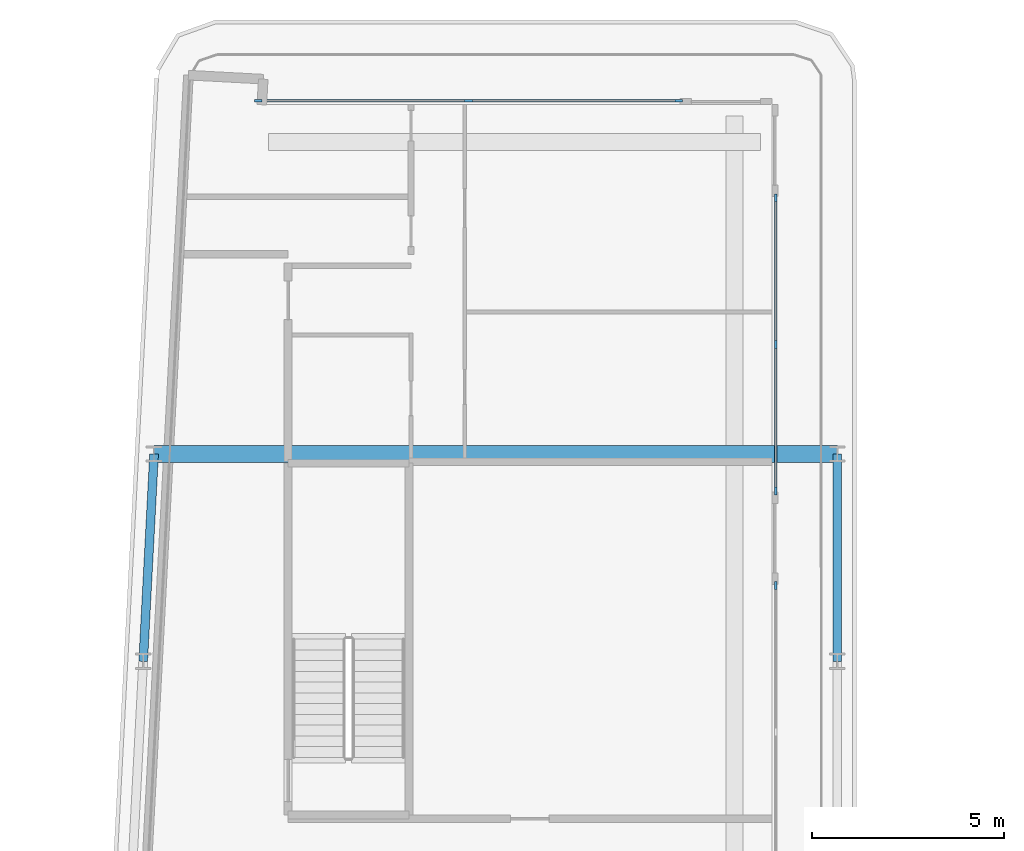
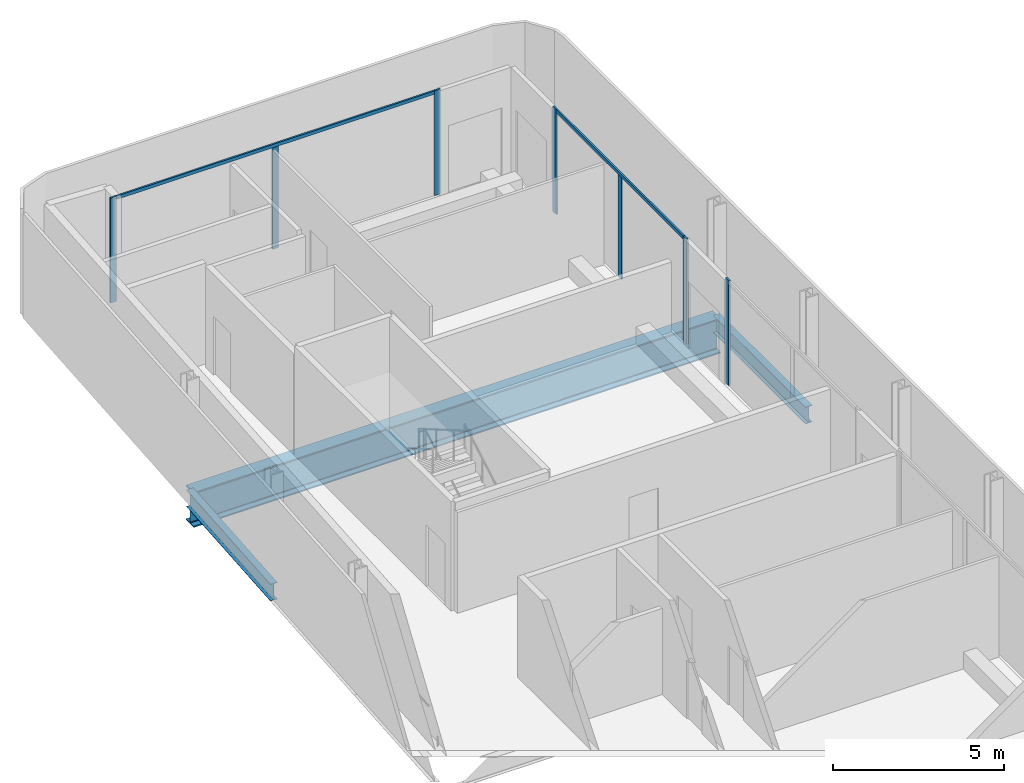
# One storey, part 11 of 29: 9 members, 3 beams, 3 elements without a shape of their own.
"""IFC4 building model written with IfcOpenShell, lengths in metres."""

import ifcopenshell
import ifcopenshell.guid

model = None  # the IFC model being written
_history = None  # IfcOwnerHistory: only IFC2X3 demands one
_inside = {}  # id of a spatial element -> (the spatial element, [elements in it])
_under = {}  # id of a project, library or spatial element -> (it, [spatial elements below it])
_declared = {}  # id of a project -> (the project, [libraries it declares])
_typed = {}  # id of a type object -> (the type object, [elements of that type])
_made_of = {}  # id of a material, layer set ... -> (it, [elements and type objects made of it])


def new_model(schema):
    """Start an empty IFC model of exactly this schema.

    Asked for "IFC4X3", IfcOpenShell would pick the latest addendum, in which some entities
    have other attributes; the version numbers below select the first issue.
    IFC2X3 requires an IfcOwnerHistory on every rooted entity: one is made here for all.
    """
    global model, _history
    if schema == "IFC4X3":
        model = ifcopenshell.file(schema_version=(4, 3, 0, 0))
    else:
        model = ifcopenshell.file(schema=schema)
    _inside.clear()
    _under.clear()
    _declared.clear()
    _typed.clear()
    _made_of.clear()
    _history = None
    if model.schema == "IFC2X3":
        org = make("IfcOrganization", Name="unknown")
        user = make(
            "IfcPersonAndOrganization",
            ThePerson=make("IfcPerson", FamilyName="unknown"),
            TheOrganization=org,
        )
        app = make(
            "IfcApplication",
            ApplicationDeveloper=org,
            Version="unknown",
            ApplicationFullName="unknown",
            ApplicationIdentifier="unknown",
        )
        _history = make(
            "IfcOwnerHistory",
            OwningUser=user,
            OwningApplication=app,
            ChangeAction="ADDED",
            CreationDate=0,
        )
    return model


def make(cls, **values):
    """One entity of the class cls with the attributes given. An attribute that is None is left unset."""
    return model.create_entity(
        cls, **{name: value for name, value in values.items() if value is not None}
    )


def rooted(cls, **values):
    """An entity with a GlobalId (a new one), such as an element, a storey or a relation."""
    return make(cls, GlobalId=ifcopenshell.guid.new(), OwnerHistory=_history, **values)


def si_unit(unit_type, name, prefix=None):
    """IfcSIUnit, for example si_unit("LENGTHUNIT", "METRE", prefix="MILLI")."""
    return make("IfcSIUnit", UnitType=unit_type, Prefix=prefix, Name=name)


def assignment(units):
    """IfcUnitAssignment: the units of a project."""
    return None if units is None else make("IfcUnitAssignment", Units=units)


def point(xyz):
    """IfcCartesianPoint."""
    return None if xyz is None else make("IfcCartesianPoint", Coordinates=xyz)


def direction(xyz):
    """IfcDirection."""
    return None if xyz is None else make("IfcDirection", DirectionRatios=xyz)


def frame(location, z_axis=None, x_axis=None):
    """IfcAxis2Placement3D, a coordinate frame: its origin and axes. An axis left out is left unset."""
    return make(
        "IfcAxis2Placement3D",
        Location=point(location),
        Axis=direction(z_axis),
        RefDirection=direction(x_axis),
    )


def frame_2d(location, x_axis=None):
    """IfcAxis2Placement2D, a coordinate frame in the plane: its origin and x axis."""
    return make(
        "IfcAxis2Placement2D", Location=point(location), RefDirection=direction(x_axis)
    )


def origin():
    """The frame at (0, 0, 0) with its axes left unset."""
    return frame((0.0, 0.0, 0.0))


def origin_2d():
    """The frame at (0, 0) in the plane with its x axis left unset."""
    return frame_2d((0.0, 0.0))


def place(relative_to, where):
    """IfcLocalPlacement: puts the frame where relative to a parent placement (None: the world)."""
    return make(
        "IfcLocalPlacement", PlacementRelTo=relative_to, RelativePlacement=where
    )


def context(
    kind, dimensions, precision=None, world=None, true_north=None, identifier=None
):
    """IfcGeometricRepresentationContext, for example the 3D "Model" context."""
    return make(
        "IfcGeometricRepresentationContext",
        ContextIdentifier=identifier,
        ContextType=kind,
        CoordinateSpaceDimension=dimensions,
        Precision=precision,
        WorldCoordinateSystem=world,
        TrueNorth=true_north,
    )


def subcontext(parent, identifier, kind, view, scale=None):
    """IfcGeometricRepresentationSubContext, for example "Body" below "Model"."""
    return make(
        "IfcGeometricRepresentationSubContext",
        ContextIdentifier=identifier,
        ContextType=kind,
        ParentContext=parent,
        TargetScale=scale,
        TargetView=view,
    )


def project(units=None, contexts=None):
    """IfcProject with its units and contexts."""
    return rooted(
        "IfcProject",
        Name="project",
        RepresentationContexts=contexts,
        UnitsInContext=assignment(units),
    )


def spatial(cls, under=None, at=None, **own):
    """A site, building, storey or space (cls), placed at a placement, below another one or the project."""
    s = rooted(cls, ObjectPlacement=at, **own)
    if under is not None:
        _under.setdefault(under.id(), (under, []))[1].append(s)
    return s


def profile(cls, at=None, kind="AREA", **sizes):
    """A parametric profile (cls). Its sizes go by their IFC names, for example OverallWidth=200.0."""
    return make(cls, ProfileType=kind, Position=at, **sizes)


def rectangle(**sizes):
    """IfcRectangleProfileDef."""
    return profile("IfcRectangleProfileDef", **sizes)


def i_section(**sizes):
    """IfcIShapeProfileDef."""
    return profile("IfcIShapeProfileDef", **sizes)


def extrude(swept, where, along, depth):
    """IfcExtrudedAreaSolid: the profile swept, set in the frame where, extruded along a direction by depth."""
    return make(
        "IfcExtrudedAreaSolid",
        SweptArea=swept,
        Position=where,
        ExtrudedDirection=direction(along),
        Depth=depth,
    )


def shape(context_of_items, identifier, shape_type, items):
    """IfcShapeRepresentation: the items that make up one representation, for example the "Body"."""
    return make(
        "IfcShapeRepresentation",
        ContextOfItems=context_of_items,
        RepresentationIdentifier=identifier,
        RepresentationType=shape_type,
        Items=items,
    )


def material(Name=None, Category=None):
    """IfcMaterial."""
    return make("IfcMaterial", Name=Name, Category=Category)


def layer(
    of_material, thickness, ventilated=None, Name=None, Category=None, Priority=None
):
    """IfcMaterialLayer: one layer of a wall or slab, of a material (None: an air gap)."""
    return make(
        "IfcMaterialLayer",
        Material=of_material,
        LayerThickness=thickness,
        IsVentilated=ventilated,
        Name=Name,
        Category=Category,
        Priority=Priority,
    )


def layer_set(layers, Name=None):
    """IfcMaterialLayerSet."""
    return make("IfcMaterialLayerSet", MaterialLayers=layers, LayerSetName=Name)


def material_profile(
    of_material, cross_section, Name=None, Category=None, Priority=None
):
    """IfcMaterialProfile: a cross section and its material."""
    return make(
        "IfcMaterialProfile",
        Name=Name,
        Material=of_material,
        Profile=cross_section,
        Priority=Priority,
        Category=Category,
    )


def profile_set(profiles, Name=None, composite=None):
    """IfcMaterialProfileSet."""
    return make(
        "IfcMaterialProfileSet",
        Name=Name,
        MaterialProfiles=profiles,
        CompositeProfile=composite,
    )


def made_of(thing, what):
    """Note that an element or type object is made of a material, layer set ...; save() writes the relation."""
    if what is not None:
        _made_of.setdefault(what.id(), (what, []))[1].append(thing)
    return thing


def type_object(cls, material=None, **own):
    """A type object (cls), such as IfcWallType, which elements share."""
    return made_of(rooted(cls, **own), material)


def element(
    cls,
    number,
    at=None,
    inside=None,
    cuts=None,
    type_object=None,
    material=None,
    context=None,
    identifier="Body",
    shape_type=None,
    held_by="IfcProductDefinitionShape",
    body=None,
    shapes=None,
    **own,
):
    """One element of the class cls, such as IfcWall. Its Tag is "e" and its number.

    at: its placement. inside: the storey or other place that contains it. cuts: it is an
    opening in that element (IfcRelVoidsElement). A single representation is given by context,
    identifier, shape_type and body (its items); several are given by shapes. held_by: the class
    of the entity that holds the representations. save() writes the other relations.
    """
    e = rooted(cls, Tag="e%d" % number, ObjectPlacement=at, **own)
    if body is not None:
        shapes = [shape(context, identifier, shape_type, body)]
    if shapes is not None:
        e.Representation = make(held_by, Representations=shapes)
    if inside is not None:
        _inside.setdefault(inside.id(), (inside, []))[1].append(e)
    if cuts is not None:
        rooted(
            "IfcRelVoidsElement", RelatingBuildingElement=cuts, RelatedOpeningElement=e
        )
    if type_object is not None:
        _typed.setdefault(type_object.id(), (type_object, []))[1].append(e)
    return made_of(e, material)


def aggregate(whole, parts):
    """IfcRelAggregates: a whole, such as a stair, and the parts it consists of."""
    return rooted("IfcRelAggregates", RelatingObject=whole, RelatedObjects=parts)


def save(model, path):
    """Write the relations noted so far, then the file.

    IfcRelAggregates (storeys below a building ...), IfcRelContainedInSpatialStructure (elements
    in a storey), IfcRelDefinesByType, IfcRelAssociatesMaterial and IfcRelDeclares: one each for
    every whole, place, type object, material and project.
    """
    for whole, parts in _under.values():
        aggregate(whole, parts)
    for where, things in _inside.values():
        rooted(
            "IfcRelContainedInSpatialStructure",
            RelatedElements=things,
            RelatingStructure=where,
        )
    for kind, things in _typed.values():
        rooted("IfcRelDefinesByType", RelatedObjects=things, RelatingType=kind)
    for what, things in _made_of.values():
        rooted("IfcRelAssociatesMaterial", RelatedObjects=things, RelatingMaterial=what)
    for by, libraries in _declared.values():
        rooted("IfcRelDeclares", RelatingContext=by, RelatedDefinitions=libraries)
    model.write(path)


model = new_model("IFC4")

# Units and contexts
model_context = context("Model", 3, precision=1e-05, world=origin(), true_north=direction((0.0, 1.0)))
body_context = subcontext(model_context, "Body", "Model", "MODEL_VIEW")
ifc_project = project(units=[si_unit("LENGTHUNIT", "METRE"), si_unit("AREAUNIT", "SQUARE_METRE"), si_unit("VOLUMEUNIT", "CUBIC_METRE"), si_unit("PLANEANGLEUNIT", "RADIAN"), si_unit("MASSUNIT", "GRAM", prefix="KILO")], contexts=[model_context])

# Site, building, storey
site_placement = place(None, origin())
site = spatial("IfcSite", under=ifc_project, at=site_placement, CompositionType="ELEMENT")
building_placement = place(site_placement, origin())
building = spatial("IfcBuilding", under=site, at=building_placement, Name="Kheshtan School and Residences Tower", CompositionType="ELEMENT")
storey_placement = place(building_placement, frame((0.0, 0.0, 183.800048828125)))
storey = spatial("IfcBuildingStorey", under=building, at=storey_placement, Name="L43", CompositionType="ELEMENT", Elevation=183.800048828125)

# Beams
ifc_material_1 = material(Name="Steel ASTM A992 Grade 50", Category="steel")
ifc_material_profile_1 = material_profile(ifc_material_1, i_section(OverallWidth=0.22802734375, OverallDepth=0.60302734375, WebThickness=0.010498046875, FlangeThickness=0.014892578125, FilletRadius=0.013427734375, at=origin_2d()), Name="W610x101")
ifc_profile_set_1 = profile_set([ifc_material_profile_1], Name="Steel ASTM A992 Grade 50")
beam_type_1 = type_object("IfcBeamType", Name="Beam SP2 W610x101 ASTM A992 Grade 50", PredefinedType="BEAM", material=ifc_profile_set_1)
beam_1_placement = place(storey_placement, frame((47.60009765625, 88.800048828125, -0.45166015625), z_axis=(0.0, -1.0, 0.0), x_axis=(1.0, 0.0, 0.0)))
element("IfcBeam", 1, at=beam_1_placement, inside=storey, type_object=beam_type_1, Name="Spandrel beam C099-C091", PredefinedType="BEAM", context=body_context, shape_type="SweptSolid", body=[
    extrude(i_section(OverallWidth=0.22802734375, OverallDepth=0.60302734375, WebThickness=0.010498046875, FlangeThickness=0.014892578125, FilletRadius=0.013427734375, at=origin_2d()), origin(), (0.0, 0.0, 1.0), 5.400146484375),
])
beam_2_placement = place(storey_placement, frame((29.527099609375, 83.39990234375, -0.45166015625), z_axis=(0.05250670125, 0.998620571751, 0.0), x_axis=(-0.998620571751, 0.05250670125, 0.0)))
element("IfcBeam", 2, at=beam_2_placement, inside=storey, type_object=beam_type_1, Name="Spandrel beam C090-C098", PredefinedType="BEAM", context=body_context, shape_type="SweptSolid", body=[
    extrude(i_section(OverallWidth=0.22802734375, OverallDepth=0.60302734375, WebThickness=0.010498046875, FlangeThickness=0.014892578125, FilletRadius=0.013427734375, at=origin_2d()), origin(), (0.0, 0.0, 1.0), 5.40771484375),
])

# Curtain wall, members
ifc_material_2 = material(Name="Clear low-e glass in thermally broken aluminium frame", Category="aluminium")
ifc_layer = layer(ifc_material_2, 0.199951171875)
ifc_layer_set = layer_set([ifc_layer], Name="Curtain wall CW-L")
curtain_wall_type = type_object("IfcCurtainWallType", Name="Curtain wall CW-L", PredefinedType="NOTDEFINED", material=ifc_layer_set)
curtain_wall_1_placement = place(storey_placement, origin())
curtain_wall_1 = element("IfcCurtainWall", 3, at=curtain_wall_1_placement, inside=storey, type_object=curtain_wall_type, Name="Curtain wall CWL7", PredefinedType="NOTDEFINED")
ifc_material_3 = material(Name="Thermally broken aluminium, dark bronze anodised", Category="aluminium")
ifc_material_profile_2 = material_profile(ifc_material_3, rectangle(XDim=0.06005859375, YDim=0.199951171875, at=origin_2d()), Name="CW-L mullion 60x200")
ifc_profile_set_2 = profile_set([ifc_material_profile_2], Name="Thermally broken aluminium, dark bronze anodised")
member_type_1 = type_object("IfcMemberType", Name="CW-L mullion 60x200", PredefinedType="MULLION", material=ifc_profile_set_2)
member_1_placement = place(storey_placement, frame((32.52197265625, 98.0, 0.0), z_axis=(0.0, 0.0, 1.0), x_axis=(0.0, 1.0, 0.0)))
member_1 = element("IfcMember", 4, at=member_1_placement, type_object=member_type_1, Name="CWL7 mullion 1", PredefinedType="MULLION", context=body_context, shape_type="SweptSolid", body=[
    extrude(rectangle(XDim=0.06005859375, YDim=0.199951171875, at=origin_2d()), origin(), (0.0, 0.0, 1.0), 3.75),
])
member_2_placement = place(storey_placement, frame((37.99609375, 98.0, 0.0), z_axis=(0.0, 0.0, 1.0), x_axis=(0.0, 1.0, 0.0)))
member_2 = element("IfcMember", 5, at=member_2_placement, type_object=member_type_1, Name="CWL7 mullion 2", PredefinedType="MULLION", context=body_context, shape_type="SweptSolid", body=[
    extrude(rectangle(XDim=0.06005859375, YDim=0.199951171875, at=origin_2d()), origin(), (0.0, 0.0, 1.0), 3.6298828125),
])
member_3_placement = place(storey_placement, frame((43.469970703125, 98.0, 0.0), z_axis=(0.0, 0.0, 1.0), x_axis=(0.0, 1.0, 0.0)))
member_3 = element("IfcMember", 6, at=member_3_placement, type_object=member_type_1, Name="CWL7 mullion 3", PredefinedType="MULLION", context=body_context, shape_type="SweptSolid", body=[
    extrude(rectangle(XDim=0.06005859375, YDim=0.199951171875, at=origin_2d()), origin(), (0.0, 0.0, 1.0), 3.75),
])

curtain_wall_2_placement = place(storey_placement, origin())
curtain_wall_2 = element("IfcCurtainWall", 7, at=curtain_wall_2_placement, inside=storey, type_object=curtain_wall_type, Name="Curtain wall CWL8", PredefinedType="NOTDEFINED")
member_4_placement = place(storey_placement, frame((46.0, 95.469970703125, 0.0), z_axis=(0.0, 0.0, 1.0), x_axis=(1.0, 0.0, 0.0)))
member_4 = element("IfcMember", 8, at=member_4_placement, type_object=member_type_1, Name="CWL8 mullion 1", PredefinedType="MULLION", context=body_context, shape_type="SweptSolid", body=[
    extrude(rectangle(XDim=0.06005859375, YDim=0.199951171875, at=origin_2d()), origin(), (0.0, 0.0, 1.0), 3.75),
])
member_5_placement = place(storey_placement, frame((46.0, 91.653076171875, 0.0), z_axis=(0.0, 0.0, 1.0), x_axis=(1.0, 0.0, 0.0)))
member_5 = element("IfcMember", 9, at=member_5_placement, type_object=member_type_1, Name="CWL8 mullion 2", PredefinedType="MULLION", context=body_context, shape_type="SweptSolid", body=[
    extrude(rectangle(XDim=0.06005859375, YDim=0.199951171875, at=origin_2d()), origin(), (0.0, 0.0, 1.0), 3.6298828125),
])
member_6_placement = place(storey_placement, frame((46.0, 87.8359375, 0.0), z_axis=(0.0, 0.0, 1.0), x_axis=(1.0, 0.0, 0.0)))
member_6 = element("IfcMember", 10, at=member_6_placement, type_object=member_type_1, Name="CWL8 mullion 3", PredefinedType="MULLION", context=body_context, shape_type="SweptSolid", body=[
    extrude(rectangle(XDim=0.06005859375, YDim=0.199951171875, at=origin_2d()), origin(), (0.0, 0.0, 1.0), 3.75),
])

# Curtain wall, member
curtain_wall_3_placement = place(storey_placement, origin())
curtain_wall_3 = element("IfcCurtainWall", 11, at=curtain_wall_3_placement, inside=storey, type_object=curtain_wall_type, Name="Curtain wall CWL8", PredefinedType="NOTDEFINED")
member_7_placement = place(storey_placement, frame((46.0, 85.3759765625, 0.0), z_axis=(0.0, 0.0, 1.0), x_axis=(1.0, 0.0, 0.0)))
member_7 = element("IfcMember", 12, at=member_7_placement, type_object=member_type_1, Name="CWL8 mullion 1", PredefinedType="MULLION", context=body_context, shape_type="SweptSolid", body=[
    extrude(rectangle(XDim=0.06005859375, YDim=0.199951171875, at=origin_2d()), origin(), (0.0, 0.0, 1.0), 3.75),
])
aggregate(curtain_wall_3, [member_7])

# Member
ifc_material_profile_3 = material_profile(ifc_material_3, rectangle(XDim=0.06005859375, YDim=0.1201171875, at=origin_2d()), Name="CW-L transom 60x120")
ifc_profile_set_3 = profile_set([ifc_material_profile_3], Name="Thermally broken aluminium, dark bronze anodised")
member_type_2 = type_object("IfcMemberType", Name="CW-L transom 60x120", PredefinedType="USERDEFINED", material=ifc_profile_set_3)
member_8_placement = place(storey_placement, frame((32.552001953125, 98.0, 3.68994140625), z_axis=(1.0, 0.0, 0.0), x_axis=(0.0, 1.0, 0.0)))
member_8 = element("IfcMember", 13, at=member_8_placement, type_object=member_type_2, Name="CWL7 transom 1", ObjectType="TRANSOM", PredefinedType="USERDEFINED", context=body_context, shape_type="SweptSolid", body=[
    extrude(rectangle(XDim=0.06005859375, YDim=0.1201171875, at=origin_2d()), origin(), (0.0, 0.0, 1.0), 10.887939453125),
])

aggregate(curtain_wall_1, [member_1, member_2, member_3, member_8])

member_9_placement = place(storey_placement, frame((46.0, 95.43994140625, 3.68994140625), z_axis=(0.0, -1.0, 0.0), x_axis=(1.0, 0.0, 0.0)))
member_9 = element("IfcMember", 14, at=member_9_placement, type_object=member_type_2, Name="CWL8 transom 1", ObjectType="TRANSOM", PredefinedType="USERDEFINED", context=body_context, shape_type="SweptSolid", body=[
    extrude(rectangle(XDim=0.06005859375, YDim=0.1201171875, at=origin_2d()), origin(), (0.0, 0.0, 1.0), 7.573974609375),
])

aggregate(curtain_wall_2, [member_4, member_5, member_6, member_9])

# Beam
ifc_material_profile_4 = material_profile(ifc_material_1, i_section(OverallWidth=0.449951171875, OverallDepth=1.25, WebThickness=0.02490234375, FlangeThickness=0.044921875, FilletRadius=0.03759765625, at=origin_2d()), Name="WWF1250x546")
ifc_profile_set_4 = profile_set([ifc_material_profile_4], Name="Steel ASTM A992 Grade 50")
beam_type_2 = type_object("IfcBeamType", Name="Transfer girder TG4 WWF1250x546 ASTM A992 Grade 50", PredefinedType="BEAM", material=ifc_profile_set_4)
beam_3_placement = place(storey_placement, frame((29.81103515625, 88.800048828125, -0.775146484375), z_axis=(1.0, 0.0, 0.0), x_axis=(0.0, 1.0, 0.0)))
element("IfcBeam", 15, at=beam_3_placement, inside=storey, type_object=beam_type_2, Name="Transfer girder C098-C099", PredefinedType="BEAM", context=body_context, shape_type="SweptSolid", body=[
    extrude(i_section(OverallWidth=0.449951171875, OverallDepth=1.25, WebThickness=0.02490234375, FlangeThickness=0.044921875, FilletRadius=0.03759765625, at=origin_2d()), origin(), (0.0, 0.0, 1.0), 17.7890625),
])

save(model, "model.ifc")
